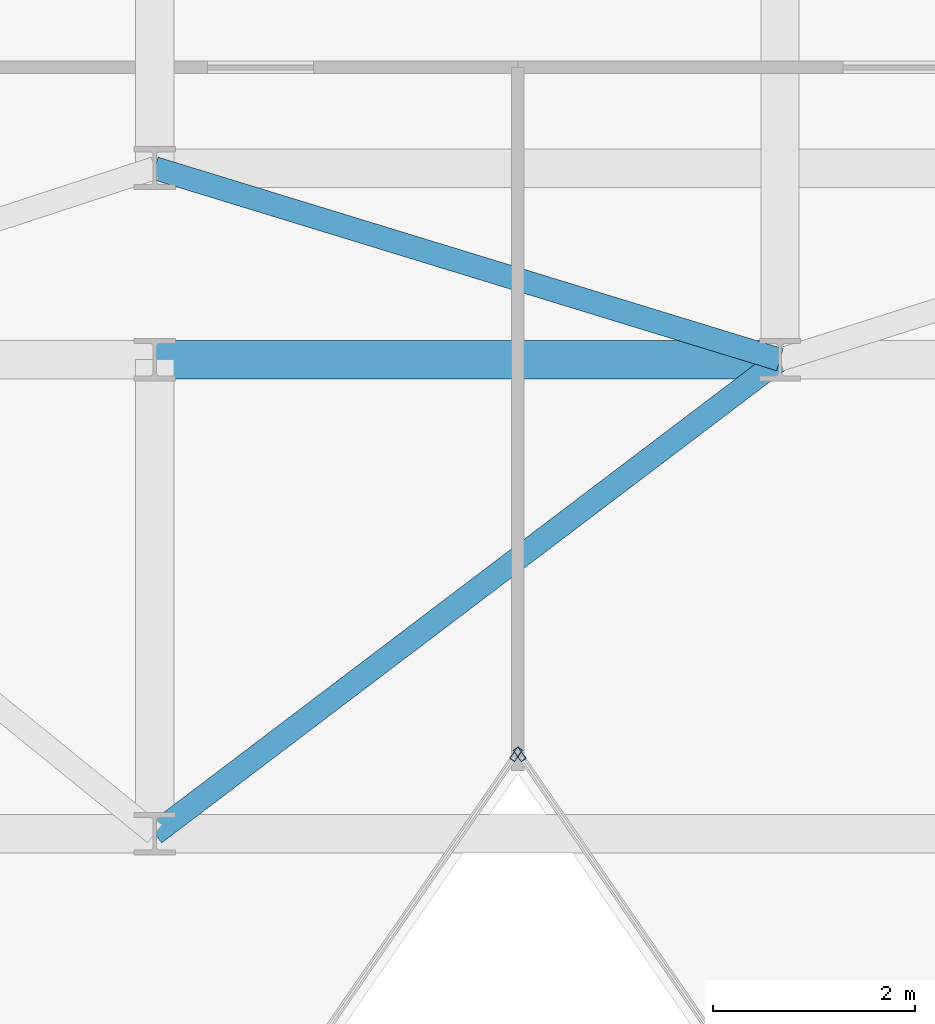
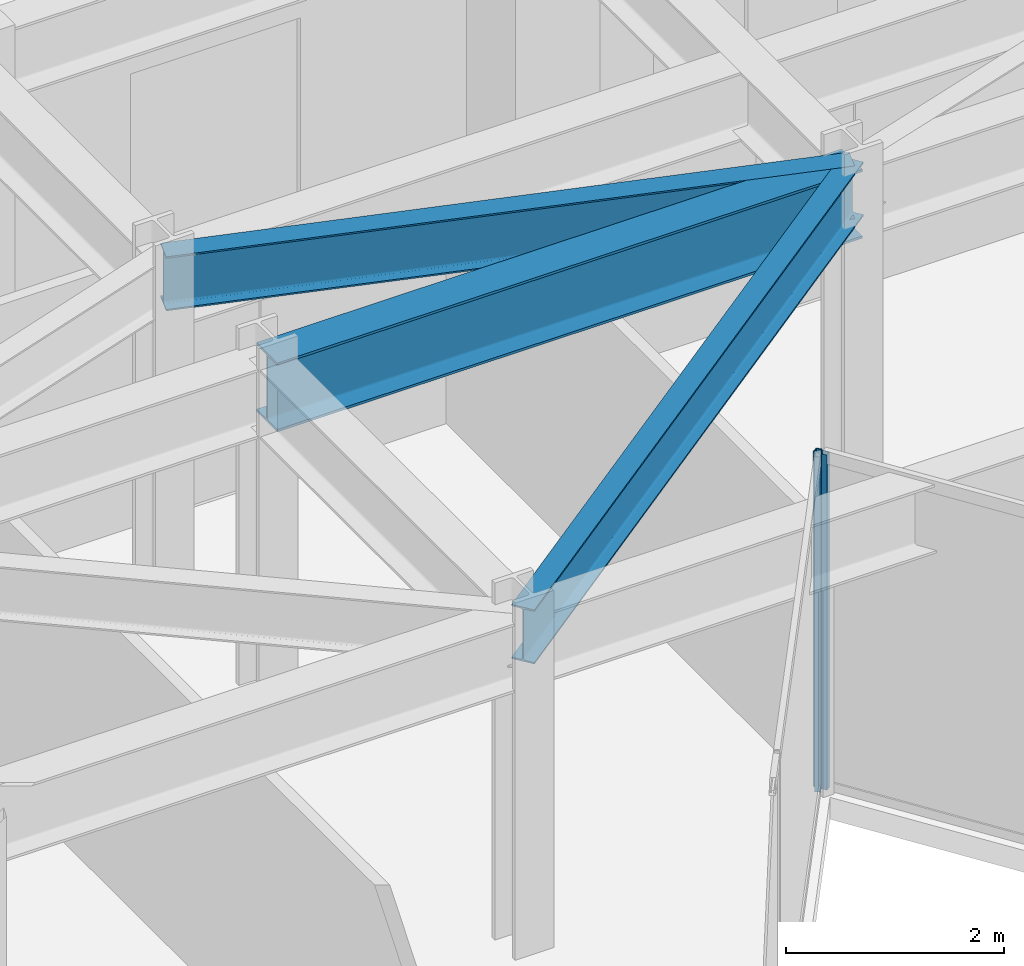
# One storey, part 14 of 26: 3 beams, 2 members, 2 elements without a shape of their own.
"""IFC4 building model written with IfcOpenShell, lengths in metres."""

import ifcopenshell
import ifcopenshell.guid

model = None  # the IFC model being written
_history = None  # IfcOwnerHistory: only IFC2X3 demands one
_inside = {}  # id of a spatial element -> (the spatial element, [elements in it])
_under = {}  # id of a project, library or spatial element -> (it, [spatial elements below it])
_declared = {}  # id of a project -> (the project, [libraries it declares])
_typed = {}  # id of a type object -> (the type object, [elements of that type])
_made_of = {}  # id of a material, layer set ... -> (it, [elements and type objects made of it])


def new_model(schema):
    """Start an empty IFC model of exactly this schema.

    Asked for "IFC4X3", IfcOpenShell would pick the latest addendum, in which some entities
    have other attributes; the version numbers below select the first issue.
    IFC2X3 requires an IfcOwnerHistory on every rooted entity: one is made here for all.
    """
    global model, _history
    if schema == "IFC4X3":
        model = ifcopenshell.file(schema_version=(4, 3, 0, 0))
    else:
        model = ifcopenshell.file(schema=schema)
    _inside.clear()
    _under.clear()
    _declared.clear()
    _typed.clear()
    _made_of.clear()
    _history = None
    if model.schema == "IFC2X3":
        org = make("IfcOrganization", Name="unknown")
        user = make(
            "IfcPersonAndOrganization",
            ThePerson=make("IfcPerson", FamilyName="unknown"),
            TheOrganization=org,
        )
        app = make(
            "IfcApplication",
            ApplicationDeveloper=org,
            Version="unknown",
            ApplicationFullName="unknown",
            ApplicationIdentifier="unknown",
        )
        _history = make(
            "IfcOwnerHistory",
            OwningUser=user,
            OwningApplication=app,
            ChangeAction="ADDED",
            CreationDate=0,
        )
    return model


def make(cls, **values):
    """One entity of the class cls with the attributes given. An attribute that is None is left unset."""
    return model.create_entity(
        cls, **{name: value for name, value in values.items() if value is not None}
    )


def rooted(cls, **values):
    """An entity with a GlobalId (a new one), such as an element, a storey or a relation."""
    return make(cls, GlobalId=ifcopenshell.guid.new(), OwnerHistory=_history, **values)


def si_unit(unit_type, name, prefix=None):
    """IfcSIUnit, for example si_unit("LENGTHUNIT", "METRE", prefix="MILLI")."""
    return make("IfcSIUnit", UnitType=unit_type, Prefix=prefix, Name=name)


def assignment(units):
    """IfcUnitAssignment: the units of a project."""
    return None if units is None else make("IfcUnitAssignment", Units=units)


def point(xyz):
    """IfcCartesianPoint."""
    return None if xyz is None else make("IfcCartesianPoint", Coordinates=xyz)


def direction(xyz):
    """IfcDirection."""
    return None if xyz is None else make("IfcDirection", DirectionRatios=xyz)


def frame(location, z_axis=None, x_axis=None):
    """IfcAxis2Placement3D, a coordinate frame: its origin and axes. An axis left out is left unset."""
    return make(
        "IfcAxis2Placement3D",
        Location=point(location),
        Axis=direction(z_axis),
        RefDirection=direction(x_axis),
    )


def frame_2d(location, x_axis=None):
    """IfcAxis2Placement2D, a coordinate frame in the plane: its origin and x axis."""
    return make(
        "IfcAxis2Placement2D", Location=point(location), RefDirection=direction(x_axis)
    )


def origin():
    """The frame at (0, 0, 0) with its axes left unset."""
    return frame((0.0, 0.0, 0.0))


def origin_2d():
    """The frame at (0, 0) in the plane with its x axis left unset."""
    return frame_2d((0.0, 0.0))


def place(relative_to, where):
    """IfcLocalPlacement: puts the frame where relative to a parent placement (None: the world)."""
    return make(
        "IfcLocalPlacement", PlacementRelTo=relative_to, RelativePlacement=where
    )


def context(
    kind, dimensions, precision=None, world=None, true_north=None, identifier=None
):
    """IfcGeometricRepresentationContext, for example the 3D "Model" context."""
    return make(
        "IfcGeometricRepresentationContext",
        ContextIdentifier=identifier,
        ContextType=kind,
        CoordinateSpaceDimension=dimensions,
        Precision=precision,
        WorldCoordinateSystem=world,
        TrueNorth=true_north,
    )


def subcontext(parent, identifier, kind, view, scale=None):
    """IfcGeometricRepresentationSubContext, for example "Body" below "Model"."""
    return make(
        "IfcGeometricRepresentationSubContext",
        ContextIdentifier=identifier,
        ContextType=kind,
        ParentContext=parent,
        TargetScale=scale,
        TargetView=view,
    )


def project(units=None, contexts=None):
    """IfcProject with its units and contexts."""
    return rooted(
        "IfcProject",
        Name="project",
        RepresentationContexts=contexts,
        UnitsInContext=assignment(units),
    )


def spatial(cls, under=None, at=None, **own):
    """A site, building, storey or space (cls), placed at a placement, below another one or the project."""
    s = rooted(cls, ObjectPlacement=at, **own)
    if under is not None:
        _under.setdefault(under.id(), (under, []))[1].append(s)
    return s


def profile(cls, at=None, kind="AREA", **sizes):
    """A parametric profile (cls). Its sizes go by their IFC names, for example OverallWidth=200.0."""
    return make(cls, ProfileType=kind, Position=at, **sizes)


def hollow_rectangle(**sizes):
    """IfcRectangleHollowProfileDef."""
    return profile("IfcRectangleHollowProfileDef", **sizes)


def i_section(**sizes):
    """IfcIShapeProfileDef."""
    return profile("IfcIShapeProfileDef", **sizes)


def extrude(swept, where, along, depth):
    """IfcExtrudedAreaSolid: the profile swept, set in the frame where, extruded along a direction by depth."""
    return make(
        "IfcExtrudedAreaSolid",
        SweptArea=swept,
        Position=where,
        ExtrudedDirection=direction(along),
        Depth=depth,
    )


def shape(context_of_items, identifier, shape_type, items):
    """IfcShapeRepresentation: the items that make up one representation, for example the "Body"."""
    return make(
        "IfcShapeRepresentation",
        ContextOfItems=context_of_items,
        RepresentationIdentifier=identifier,
        RepresentationType=shape_type,
        Items=items,
    )


def material(Name=None, Category=None):
    """IfcMaterial."""
    return make("IfcMaterial", Name=Name, Category=Category)


def layer(
    of_material, thickness, ventilated=None, Name=None, Category=None, Priority=None
):
    """IfcMaterialLayer: one layer of a wall or slab, of a material (None: an air gap)."""
    return make(
        "IfcMaterialLayer",
        Material=of_material,
        LayerThickness=thickness,
        IsVentilated=ventilated,
        Name=Name,
        Category=Category,
        Priority=Priority,
    )


def layer_set(layers, Name=None):
    """IfcMaterialLayerSet."""
    return make("IfcMaterialLayerSet", MaterialLayers=layers, LayerSetName=Name)


def material_profile(
    of_material, cross_section, Name=None, Category=None, Priority=None
):
    """IfcMaterialProfile: a cross section and its material."""
    return make(
        "IfcMaterialProfile",
        Name=Name,
        Material=of_material,
        Profile=cross_section,
        Priority=Priority,
        Category=Category,
    )


def profile_set(profiles, Name=None, composite=None):
    """IfcMaterialProfileSet."""
    return make(
        "IfcMaterialProfileSet",
        Name=Name,
        MaterialProfiles=profiles,
        CompositeProfile=composite,
    )


def made_of(thing, what):
    """Note that an element or type object is made of a material, layer set ...; save() writes the relation."""
    if what is not None:
        _made_of.setdefault(what.id(), (what, []))[1].append(thing)
    return thing


def type_object(cls, material=None, **own):
    """A type object (cls), such as IfcWallType, which elements share."""
    return made_of(rooted(cls, **own), material)


def element(
    cls,
    number,
    at=None,
    inside=None,
    cuts=None,
    type_object=None,
    material=None,
    context=None,
    identifier="Body",
    shape_type=None,
    held_by="IfcProductDefinitionShape",
    body=None,
    shapes=None,
    **own,
):
    """One element of the class cls, such as IfcWall. Its Tag is "e" and its number.

    at: its placement. inside: the storey or other place that contains it. cuts: it is an
    opening in that element (IfcRelVoidsElement). A single representation is given by context,
    identifier, shape_type and body (its items); several are given by shapes. held_by: the class
    of the entity that holds the representations. save() writes the other relations.
    """
    e = rooted(cls, Tag="e%d" % number, ObjectPlacement=at, **own)
    if body is not None:
        shapes = [shape(context, identifier, shape_type, body)]
    if shapes is not None:
        e.Representation = make(held_by, Representations=shapes)
    if inside is not None:
        _inside.setdefault(inside.id(), (inside, []))[1].append(e)
    if cuts is not None:
        rooted(
            "IfcRelVoidsElement", RelatingBuildingElement=cuts, RelatedOpeningElement=e
        )
    if type_object is not None:
        _typed.setdefault(type_object.id(), (type_object, []))[1].append(e)
    return made_of(e, material)


def aggregate(whole, parts):
    """IfcRelAggregates: a whole, such as a stair, and the parts it consists of."""
    return rooted("IfcRelAggregates", RelatingObject=whole, RelatedObjects=parts)


def save(model, path):
    """Write the relations noted so far, then the file.

    IfcRelAggregates (storeys below a building ...), IfcRelContainedInSpatialStructure (elements
    in a storey), IfcRelDefinesByType, IfcRelAssociatesMaterial and IfcRelDeclares: one each for
    every whole, place, type object, material and project.
    """
    for whole, parts in _under.values():
        aggregate(whole, parts)
    for where, things in _inside.values():
        rooted(
            "IfcRelContainedInSpatialStructure",
            RelatedElements=things,
            RelatingStructure=where,
        )
    for kind, things in _typed.values():
        rooted("IfcRelDefinesByType", RelatedObjects=things, RelatingType=kind)
    for what, things in _made_of.values():
        rooted("IfcRelAssociatesMaterial", RelatedObjects=things, RelatingMaterial=what)
    for by, libraries in _declared.values():
        rooted("IfcRelDeclares", RelatingContext=by, RelatedDefinitions=libraries)
    model.write(path)


model = new_model("IFC4")

# Units and contexts
model_context = context("Model", 3, precision=1e-05, world=origin(), true_north=direction((0.0, 1.0)))
body_context = subcontext(model_context, "Body", "Model", "MODEL_VIEW")
ifc_project = project(units=[si_unit("LENGTHUNIT", "METRE"), si_unit("AREAUNIT", "SQUARE_METRE"), si_unit("VOLUMEUNIT", "CUBIC_METRE"), si_unit("PLANEANGLEUNIT", "RADIAN"), si_unit("MASSUNIT", "GRAM", prefix="KILO")], contexts=[model_context])

# Site, building, storey
site_placement = place(None, origin())
site = spatial("IfcSite", under=ifc_project, at=site_placement, CompositionType="ELEMENT")
building_placement = place(site_placement, origin())
building = spatial("IfcBuilding", under=site, at=building_placement, Name="Kravanh Interchange Tower", CompositionType="ELEMENT")
storey_placement = place(building_placement, frame((0.0, 0.0, 180.5)))
storey = spatial("IfcBuildingStorey", under=building, at=storey_placement, Name="L43", CompositionType="ELEMENT", Elevation=180.5)

# Curtain wall, member
ifc_material_1 = material(Name="Anodised Bronze Aluminium", Category="aluminium")
ifc_layer = layer(ifc_material_1, 0.179931640625)
ifc_layer_set = layer_set([ifc_layer], Name="Unitised Curtain Wall System CW-Z3 Upper Office")
curtain_wall_type = type_object("IfcCurtainWallType", Name="Unitised Curtain Wall System CW-Z3 Upper Office", PredefinedType="NOTDEFINED", material=ifc_layer_set)
curtain_wall_1_placement = place(storey_placement, origin())
curtain_wall_1 = element("IfcCurtainWall", 1, at=curtain_wall_1_placement, inside=storey, type_object=curtain_wall_type, Name="L43 Unitised Curtain Wall CW-L43-04", PredefinedType="NOTDEFINED")
ifc_material_2 = material(Name="Anodised Bronze Aluminium", Category="aluminium")
ifc_material_profile_1 = material_profile(ifc_material_2, hollow_rectangle(XDim=0.06005859375, YDim=0.139892578125, WallThickness=0.00390625, at=origin_2d()), Name="ALU60X140X4")
ifc_profile_set_1 = profile_set([ifc_material_profile_1], Name="Anodised Bronze Aluminium")
member_type = type_object("IfcMemberType", Name="Curtain Wall Mullion ALU60X140X4 Bronze", PredefinedType="MULLION", material=ifc_profile_set_1)
member_1_placement = place(storey_placement, frame((42.217041015625, 27.587158203125, 0.0), z_axis=(0.0, 0.0, 1.0), x_axis=(-0.824042223035, -0.566528388217, 0.0)))
member_1 = element("IfcMember", 2, at=member_1_placement, type_object=member_type, Name="CW-Z3 mullion 5", PredefinedType="MULLION", context=body_context, shape_type="SweptSolid", body=[
    extrude(hollow_rectangle(XDim=0.06005859375, YDim=0.139892578125, WallThickness=0.00390625, at=origin_2d()), origin(), (0.0, 0.0, 1.0), 3.7548828125),
])
aggregate(curtain_wall_1, [member_1])

curtain_wall_2_placement = place(storey_placement, origin())
curtain_wall_2 = element("IfcCurtainWall", 3, at=curtain_wall_2_placement, inside=storey, type_object=curtain_wall_type, Name="L43 Unitised Curtain Wall CW-L43-05", PredefinedType="NOTDEFINED")
member_2_placement = place(storey_placement, frame((42.18310546875, 27.587158203125, 0.0), z_axis=(0.0, 0.0, 1.0), x_axis=(0.824042223035, -0.566528388217, 0.0)))
member_2 = element("IfcMember", 4, at=member_2_placement, type_object=member_type, Name="CW-Z3 mullion 1", PredefinedType="MULLION", context=body_context, shape_type="SweptSolid", body=[
    extrude(hollow_rectangle(XDim=0.06005859375, YDim=0.139892578125, WallThickness=0.00390625, at=origin_2d()), origin(), (0.0, 0.0, 1.0), 3.7548828125),
])
aggregate(curtain_wall_2, [member_2])

# Beams
ifc_material_3 = material(Name="Structural Steel S355", Category="steel")
ifc_material_profile_2 = material_profile(ifc_material_3, i_section(OverallWidth=0.381103515625, OverallDepth=0.77294921875, WebThickness=0.0166015625, FlangeThickness=0.027099609375, FilletRadius=0.02490234375, at=origin_2d()), Name="W30X173")
ifc_profile_set_2 = profile_set([ifc_material_profile_2], Name="Structural Steel S355")
beam_type_1 = type_object("IfcBeamType", Name="Floor Beam W30X173 Structural Steel S355", PredefinedType="BEAM", material=ifc_profile_set_2)
beam_1_placement = place(storey_placement, frame((38.60009765625, 31.5, 3.368408203125), z_axis=(1.0, 0.0, 0.0), x_axis=(0.0, 1.0, 0.0)))
element("IfcBeam", 5, at=beam_1_placement, inside=storey, type_object=beam_type_1, Name="L43 Primary Floor Girder 72", PredefinedType="BEAM", context=body_context, shape_type="SweptSolid", body=[
    extrude(i_section(OverallWidth=0.381103515625, OverallDepth=0.77294921875, WebThickness=0.0166015625, FlangeThickness=0.027099609375, FilletRadius=0.02490234375, at=origin_2d()), origin(), (0.0, 0.0, 1.0), 6.199951171875),
])
ifc_material_4 = material(Name="Structural Steel S355", Category="steel")
ifc_material_profile_3 = material_profile(ifc_material_4, i_section(OverallWidth=0.22802734375, OverallDepth=0.60791015625, WebThickness=0.01123046875, FlangeThickness=0.017333984375, FilletRadius=0.02197265625, at=origin_2d()), Name="W24X76")
ifc_profile_set_3 = profile_set([ifc_material_profile_3], Name="Structural Steel S355")
beam_type_2 = type_object("IfcBeamType", Name="Floor Spandrel W24X76 Structural Steel S355", PredefinedType="SPANDREL", material=ifc_profile_set_3)
beam_2_placement = place(storey_placement, frame((38.60009765625, 26.800048828125, 3.450927734375), z_axis=(0.796905365509, 0.604104161898, 0.0), x_axis=(-0.604104161898, 0.796905365509, 0.0)))
element("IfcBeam", 6, at=beam_2_placement, inside=storey, type_object=beam_type_2, Name="L43 Perimeter Spandrel 47", PredefinedType="SPANDREL", context=body_context, shape_type="SweptSolid", body=[
    extrude(i_section(OverallWidth=0.22802734375, OverallDepth=0.60791015625, WebThickness=0.01123046875, FlangeThickness=0.017333984375, FilletRadius=0.02197265625, at=origin_2d()), origin(), (0.0, 0.0, 1.0), 7.780029296875),
])
beam_3_placement = place(storey_placement, frame((44.800048828125, 31.5, 3.450927734375), z_axis=(-0.956115397264, 0.292990353279, 0.0), x_axis=(-0.292990353279, -0.956115397264, 0.0)))
element("IfcBeam", 7, at=beam_3_placement, inside=storey, type_object=beam_type_2, Name="L43 Perimeter Spandrel 76", PredefinedType="SPANDREL", context=body_context, shape_type="SweptSolid", body=[
    extrude(i_section(OverallWidth=0.22802734375, OverallDepth=0.60791015625, WebThickness=0.01123046875, FlangeThickness=0.017333984375, FilletRadius=0.02197265625, at=origin_2d()), origin(), (0.0, 0.0, 1.0), 6.484619140625),
])

save(model, "model.ifc")
